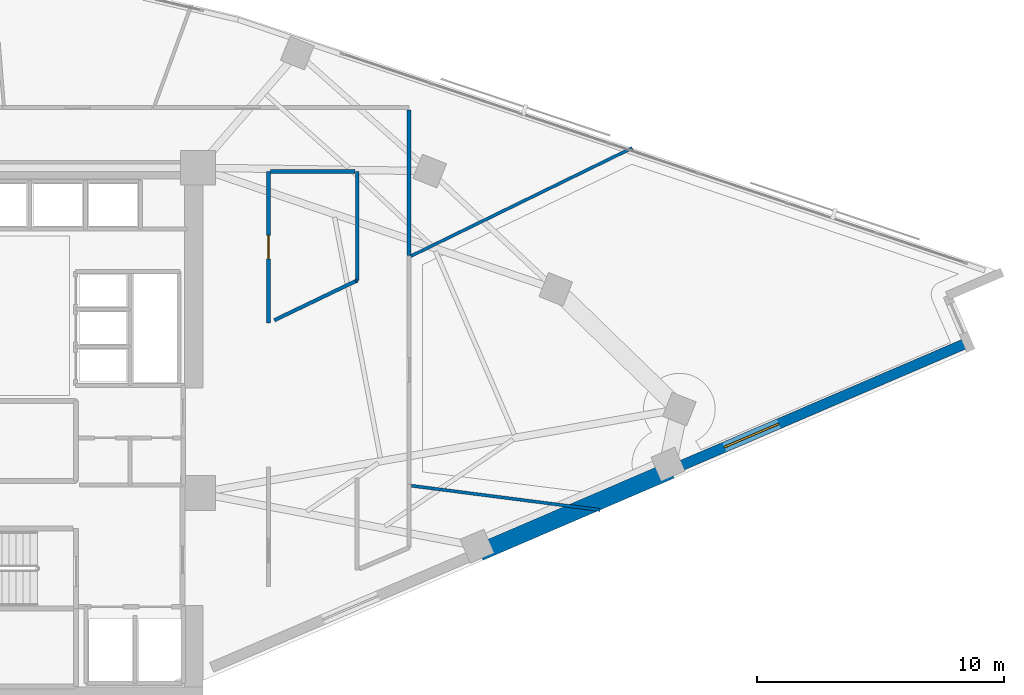
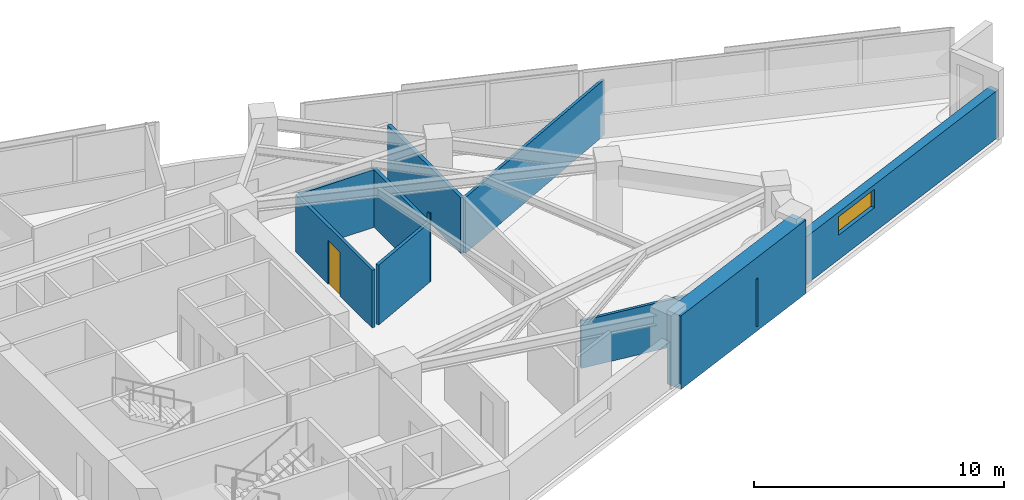
# One storey, part 11 of 14: 10 walls, 1 door, 1 window, 2 openings.
"""IFC4 building model written with IfcOpenShell, lengths in metres."""

from ifc_helpers import new_model, si_unit, direction, frame, frame_2d, origin, place, context, subcontext, project, spatial, rectangle, extrude, material, layer, layer_set, type_object, element, fill, save


model = new_model("IFC4")

# Units and contexts
model_context = context("Model", 3, precision=1e-05, world=origin(), true_north=direction((0.0, 1.0)))
body_context = subcontext(model_context, "Body", "Model", "MODEL_VIEW")
ifc_project = project(units=[si_unit("LENGTHUNIT", "METRE"), si_unit("AREAUNIT", "SQUARE_METRE"), si_unit("VOLUMEUNIT", "CUBIC_METRE"), si_unit("PLANEANGLEUNIT", "RADIAN"), si_unit("MASSUNIT", "GRAM", prefix="KILO")], contexts=[model_context])

# Site, building, storey
site_placement = place(None, origin())
site = spatial("IfcSite", under=ifc_project, at=site_placement, CompositionType="ELEMENT")
building_placement = place(site_placement, origin())
building = spatial("IfcBuilding", under=site, at=building_placement, Name="Narakoshi Arena Tower", CompositionType="ELEMENT")
storey_placement = place(building_placement, frame((0.0, 0.0, 175.5)))
storey = spatial("IfcBuildingStorey", under=building, at=storey_placement, Name="L47", CompositionType="ELEMENT", Elevation=175.5)

# Walls
ifc_material_1 = material(Name="Gypsum plasterboard fire-rated partition")
ifc_layer_1 = layer(ifc_material_1, 0.1650390625)
ifc_layer_set_1 = layer_set([ifc_layer_1], Name="Gypsum plasterboard fire-rated partition")
wall_type_1 = type_object("IfcWallType", Name="WL-CORR-165", PredefinedType="PARTITIONING", material=ifc_layer_set_1)
wall_1_placement = place(storey_placement, frame((94.0849609375, 52.953125, 0.0), z_axis=(0.0, 0.0, 1.0), x_axis=(0.0, 1.0, 0.0)))
element("IfcWall", 1, at=wall_1_placement, inside=storey, type_object=wall_type_1, Name="L47 Corridor Partition 05-2", PredefinedType="PARTITIONING", context=body_context, shape_type="SweptSolid", body=[
    extrude(rectangle(XDim=5.88037109375, YDim=0.1650390625, at=frame_2d((2.940185546875, 0.0))), origin(), (0.0, 0.0, 1.0), 2.72509765625),
])
ifc_material_2 = material(Name="Concrete C60/75", Category="concrete")
ifc_layer_2 = layer(ifc_material_2, 0.699951171875)
ifc_layer_set_2 = layer_set([ifc_layer_2], Name="Concrete C60/75")
wall_type_2 = type_object("IfcWallType", Name="WL-LEG-700", PredefinedType="SHEAR", material=ifc_layer_set_2)
wall_2_placement = place(storey_placement, frame((96.936767578125, 40.951904296875, -0.260009765625), z_axis=(0.0, 0.0, 1.0), x_axis=(0.918782407933, 0.394764343468, 0.0)))
element("IfcWall", 2, at=wall_2_placement, inside=storey, type_object=wall_type_2, Name="L47 Architectural Concrete Structural Wall LEGA-3", PredefinedType="SHEAR", context=body_context, shape_type="SweptSolid", body=[
    extrude(rectangle(XDim=8.401611328125, YDim=0.699951171875, at=frame_2d((4.20068359375, 0.0))), origin(), (0.0, 0.0, 1.0), 3.60009765625),
])
ifc_layer_3 = layer(ifc_material_1, 0.125)
ifc_layer_set_3 = layer_set([ifc_layer_3], Name="Gypsum plasterboard fire-rated partition")
wall_type_3 = type_object("IfcWallType", Name="WL-PART-125", PredefinedType="PARTITIONING", material=ifc_layer_set_3)
wall_3_placement = place(storey_placement, frame((94.179443359375, 43.641845703125, 0.0), z_axis=(0.0, 0.0, 1.0), x_axis=(0.991849484191, -0.127415072542, 0.0)))
element("IfcWall", 3, at=wall_3_placement, inside=storey, type_object=wall_type_3, Name="L47 Inter-Room Partition 02-03", PredefinedType="PARTITIONING", context=body_context, shape_type="SweptSolid", body=[
    extrude(rectangle(XDim=7.6875, YDim=0.125, at=frame_2d((3.84375, 0.0))), origin(), (0.0, 0.0, 1.0), 2.324951171875),
])
wall_4_placement = place(storey_placement, frame((94.153076171875, 52.926513671875, 0.0), z_axis=(0.0, 0.0, 1.0), x_axis=(0.898440022674, 0.439096260127, 0.0)))
element("IfcWall", 4, at=wall_4_placement, inside=storey, type_object=wall_type_3, Name="L47 Inter-Room Partition 03-05", PredefinedType="PARTITIONING", context=body_context, shape_type="SweptSolid", body=[
    extrude(rectangle(XDim=9.959716796875, YDim=0.125, at=frame_2d((4.97998046875, 0.0))), origin(), (0.0, 0.0, 1.0), 2.72509765625),
])

# Wall, opening, window
ifc_material_3 = material(Name="Precast concrete C45/55", Category="concrete")
ifc_layer_4 = layer(ifc_material_3, 0.419921875)
ifc_layer_set_4 = layer_set([ifc_layer_4], Name="Precast concrete C45/55")
wall_type_4 = type_object("IfcWallType", Name="WL-POD-420", PredefinedType="SOLIDWALL", material=ifc_layer_set_4)
wall_5_placement = place(storey_placement, frame((104.656005859375, 44.2685546875, 0.0), z_axis=(0.0, 0.0, 1.0), x_axis=(0.918789071809, 0.394748833467, 0.0)))
wall_5 = element("IfcWall", 5, at=wall_5_placement, inside=storey, type_object=wall_type_4, Name="L47 Architectural Concrete Facade Wall LEGA-4", PredefinedType="SOLIDWALL", context=body_context, shape_type="SweptSolid", body=[
    extrude(rectangle(XDim=13.06884765625, YDim=0.419921875, at=frame_2d((6.534423828125, 0.0))), origin(), (0.0, 0.0, 1.0), 2.324951171875),
])
opening_1_placement = place(wall_5_placement, frame((2.362060546875, 0.0, 1.199951171875)))
opening_1 = element("IfcOpeningElement", 6, at=opening_1_placement, cuts=wall_5, Name="Opening WN-01", PredefinedType="OPENING", context=body_context, shape_type="SweptSolid", body=[
    extrude(rectangle(XDim=2.39990234375, YDim=0.89990234375, at=frame_2d((1.199951171875, 0.449951171875))), frame((0.0, 0.219970703125, 0.0), z_axis=(0.0, -1.0, 0.0), x_axis=(1.0, 0.0, 0.0)), (0.0, 0.0, 1.0), 0.43994140625),
])
ifc_material_4 = material(Name="Bronze-tinted low-E laminated glass", Category="glass")
window_type = type_object("IfcWindowType", Name="WIN-SLT-24x09", PartitioningType="SINGLE_PANEL", PredefinedType="WINDOW", material=ifc_material_4)
window_placement = place(opening_1_placement, origin())
window = element("IfcWindow", 7, at=window_placement, inside=storey, type_object=window_type, Name="L47 LEGA4 Horizontal Slot Window 1", OverallHeight=0.89990234375, OverallWidth=2.39990234375, PartitioningType="SINGLE_PANEL", PredefinedType="WINDOW", context=body_context, shape_type="SweptSolid", body=[
    extrude(rectangle(XDim=2.39990234375, YDim=0.89990234375, at=frame_2d((1.199951171875, 0.449951171875))), frame((0.0, 0.030029296875, 0.0), z_axis=(0.0, -1.0, 0.0), x_axis=(1.0, 0.0, 0.0)), (0.0, 0.0, 1.0), 0.06005859375),
])
fill(opening_1, window)

# Wall, opening, door
ifc_material_5 = material(Name="Moisture-resistant cement-board partition")
ifc_layer_5 = layer(ifc_material_5, 0.14501953125)
ifc_layer_set_5 = layer_set([ifc_layer_5], Name="Moisture-resistant cement-board partition")
wall_type_5 = type_object("IfcWallType", Name="WL-WET-145", PredefinedType="PARTITIONING", material=ifc_layer_set_5)
wall_6_placement = place(storey_placement, frame((88.39990234375, 50.22314453125, 0.0), z_axis=(0.0, 0.0, 1.0), x_axis=(0.0, 1.0, 0.0)))
wall_6 = element("IfcWall", 8, at=wall_6_placement, inside=storey, type_object=wall_type_5, Name="L47 Corridor Partition 04-1", PredefinedType="PARTITIONING", context=body_context, shape_type="SweptSolid", body=[
    extrude(rectangle(XDim=6.126953125, YDim=0.14501953125, at=frame_2d((3.0634765625, 0.0))), origin(), (0.0, 0.0, 1.0), 2.824951171875),
])
opening_2_placement = place(wall_6_placement, frame((2.58837890625, 0.0, 0.0)))
opening_2 = element("IfcOpeningElement", 9, at=opening_2_placement, cuts=wall_6, Name="Opening D-07", PredefinedType="OPENING", context=body_context, shape_type="SweptSolid", body=[
    extrude(rectangle(XDim=0.949951171875, YDim=2.14990234375, at=frame_2d((0.47509765625, 1.074951171875))), frame((0.0, 0.08251953125, 0.0), z_axis=(0.0, -1.0, 0.0), x_axis=(1.0, 0.0, 0.0)), (0.0, 0.0, 1.0), 0.1650390625),
])
ifc_material_6 = material(Name="Stained oak solid-core timber", Category="wood")
door_type = type_object("IfcDoorType", Name="DR-ACC-950", OperationType="NOTDEFINED", PredefinedType="DOOR", material=ifc_material_6)
door_placement = place(opening_2_placement, frame((0.949951171875, 0.0, 0.0), z_axis=(0.0, 0.0, 1.0), x_axis=(-1.0, 0.0, 0.0)))
door = element("IfcDoor", 10, at=door_placement, inside=storey, type_object=door_type, Name="DR-L47-018", OperationType="SINGLE_SWING_RIGHT", OverallHeight=2.14990234375, OverallWidth=0.949951171875, PredefinedType="DOOR", context=body_context, shape_type="SweptSolid", body=[
    extrude(rectangle(XDim=0.949951171875, YDim=2.14990234375, at=frame_2d((0.47509765625, 1.074951171875))), frame((0.0, 0.02490234375, 0.0), z_axis=(0.0, -1.0, 0.0), x_axis=(1.0, 0.0, 0.0)), (0.0, 0.0, 1.0), 0.050048828125),
])
fill(opening_2, door)

# Walls
wall_7_placement = place(storey_placement, frame((91.985107421875, 56.35009765625, 0.0), z_axis=(0.0, 0.0, 1.0), x_axis=(0.0, -1.0, 0.0)))
element("IfcWall", 11, at=wall_7_placement, inside=storey, type_object=wall_type_5, Name="L47 Corridor Partition 04-2", PredefinedType="PARTITIONING", context=body_context, shape_type="SweptSolid", body=[
    extrude(rectangle(XDim=4.405517578125, YDim=0.14501953125, at=frame_2d((2.20263671875, 0.0))), origin(), (0.0, 0.0, 1.0), 2.824951171875),
])
wall_8_placement = place(storey_placement, frame((88.484619140625, 56.35009765625, 0.0), z_axis=(0.0, 0.0, 1.0), x_axis=(1.0, 0.0, 0.0)))
element("IfcWall", 12, at=wall_8_placement, inside=storey, type_object=wall_type_5, Name="L47 Corridor Partition 04-3", PredefinedType="PARTITIONING", context=body_context, shape_type="SweptSolid", body=[
    extrude(rectangle(XDim=3.415771484375, YDim=0.14501953125, at=frame_2d((1.7080078125, 0.0))), origin(), (0.0, 0.0, 1.0), 2.824951171875),
])
wall_9_placement = place(storey_placement, frame((91.985107421875, 51.944580078125, 0.0), z_axis=(0.0, 0.0, 1.0), x_axis=(-0.901637414301, -0.432492743445, 0.0)))
element("IfcWall", 13, at=wall_9_placement, inside=storey, type_object=wall_type_5, Name="L47 Corridor Partition 04-4", PredefinedType="PARTITIONING", context=body_context, shape_type="SweptSolid", body=[
    extrude(rectangle(XDim=0.066650390625, YDim=0.14501953125, at=frame_2d((0.033203125, 0.0))), origin(), (0.0, 0.0, 1.0), 3.340087890625),
])
wall_10_placement = place(storey_placement, frame((91.925048828125, 51.915771484375, 0.0), z_axis=(0.0, 0.0, 1.0), x_axis=(-0.901452116441, -0.432878830348, 0.0)))
element("IfcWall", 14, at=wall_10_placement, inside=storey, type_object=wall_type_5, Name="L47 Room Enclosure Partition 04-1", PredefinedType="PARTITIONING", context=body_context, shape_type="SweptSolid", body=[
    extrude(rectangle(XDim=3.65234375, YDim=0.14501953125, at=frame_2d((1.826171875, 0.0))), origin(), (0.0, 0.0, 1.0), 2.925048828125),
])

save(model, "model.ifc")
